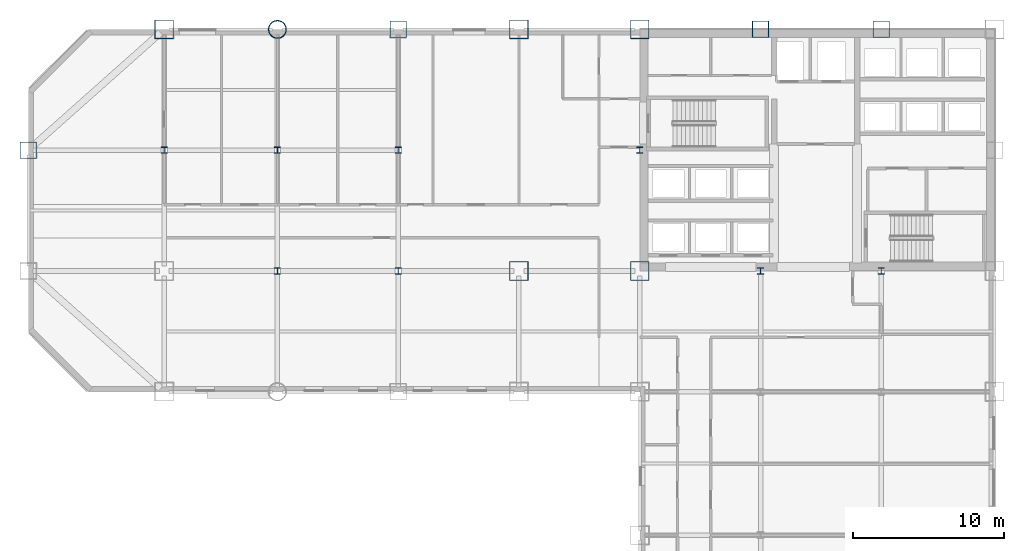
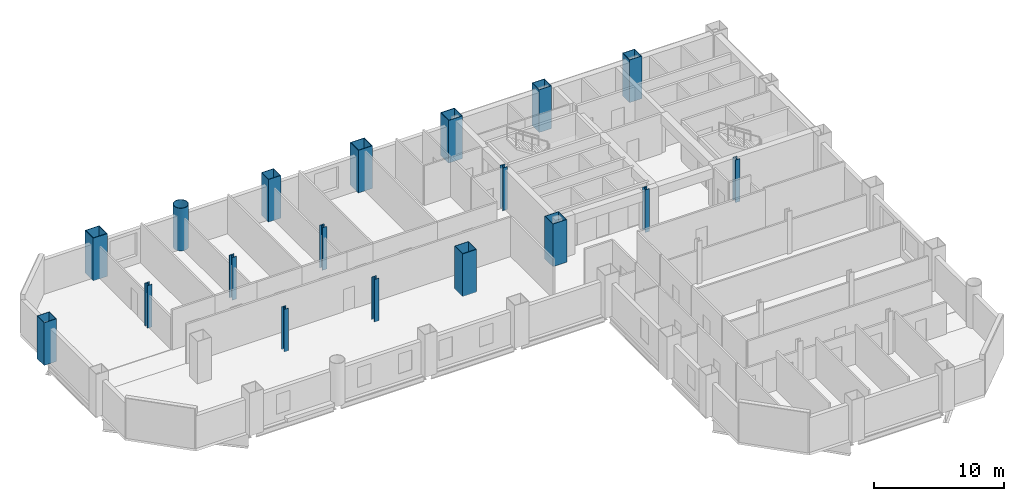
# One storey, part 2 of 9: 18 columns.
"""IFC4 building model written with IfcOpenShell, lengths in metres."""

from ifc_helpers import new_model, si_unit, direction, frame, origin, origin_2d, place, context, subcontext, project, spatial, hollow_rectangle, hollow_circle, i_section, extrude, material, material_profile, profile_set, type_object, element, save


model = new_model("IFC4")

# Units and contexts
model_context = context("Model", 3, precision=1e-05, world=origin(), true_north=direction((0.0, 1.0)))
body_context = subcontext(model_context, "Body", "Model", "MODEL_VIEW")
ifc_project = project(units=[si_unit("LENGTHUNIT", "METRE"), si_unit("AREAUNIT", "SQUARE_METRE"), si_unit("VOLUMEUNIT", "CUBIC_METRE"), si_unit("PLANEANGLEUNIT", "RADIAN"), si_unit("MASSUNIT", "GRAM", prefix="KILO")], contexts=[model_context])

# Site, building, storey
site_placement = place(None, origin())
site = spatial("IfcSite", under=ifc_project, at=site_placement, CompositionType="ELEMENT")
building_placement = place(site_placement, origin())
building = spatial("IfcBuilding", under=site, at=building_placement, Name="Qianrong Seaharbour Tower", CompositionType="ELEMENT")
storey_placement = place(building_placement, frame((0.0, 0.0, 36.199951171875)))
storey = spatial("IfcBuildingStorey", under=building, at=storey_placement, Name="L08", CompositionType="ELEMENT", Elevation=36.199951171875)

# Columns
ifc_material = material(Name="Structural steel SN490B", Category="steel")
ifc_material_profile_1 = material_profile(ifc_material, hollow_rectangle(XDim=1.25, YDim=1.25, WallThickness=0.044921875, at=origin_2d()), Name="BOX1250x1250x45")
ifc_profile_set_1 = profile_set([ifc_material_profile_1], Name="Structural steel SN490B")
column_type_1 = type_object("IfcColumnType", Name="COL-CFT-1250", PredefinedType="COLUMN", material=ifc_profile_set_1)
for number, where, z_axis, x_axis, name in (
    (1, (9.0, 52.0, 0.0), (0.0, 0.0, 1.0), (1.0, 0.0, 0.0), "L08 Column MC-2 at G2/GH"),
    (2, (32.5, 36.0, 0.0), (0.0, 0.0, 1.0), (1.0, 0.0, 0.0), "L08 Column MC-2 at G5/GF"),
    (3, (32.5, 52.0, 0.0), (0.0, 0.0, 1.0), (1.0, 0.0, 0.0), "L08 Column MC-2 at G5/GH"),
    (4, (40.5, 36.0, 0.0), (0.0, 0.0, 1.0), (1.0, 0.0, 0.0), "L08 Column MC-2 at G6/GF"),
    (5, (40.5, 52.0, 0.0), (0.0, 0.0, 1.0), (1.0, 0.0, 0.0), "L08 Column MC-2 at G6/GH"),
):
    element("IfcColumn", number, at=place(storey_placement, frame(where, z_axis=z_axis, x_axis=x_axis)), inside=storey, type_object=column_type_1, Name=name, PredefinedType="COLUMN", context=body_context, shape_type="SweptSolid", body=[
        extrude(hollow_rectangle(XDim=1.25, YDim=1.25, WallThickness=0.044921875, at=origin_2d()), origin(), (0.0, 0.0, 1.0), 4.0),
    ])
ifc_material_profile_2 = material_profile(ifc_material, hollow_circle(Radius=0.60009765625, WallThickness=0.0400390625, at=origin_2d()), Name="CHS1200x40")
ifc_profile_set_2 = profile_set([ifc_material_profile_2], Name="Structural steel SN490B")
column_type_2 = type_object("IfcColumnType", Name="COL-CHS-1200", PredefinedType="COLUMN", material=ifc_profile_set_2)
column_placement = place(storey_placement, frame((16.5, 52.0, 0.0), z_axis=(0.0, 0.0, 1.0), x_axis=(1.0, 0.0, 0.0)))
element("IfcColumn", 6, at=column_placement, inside=storey, type_object=column_type_2, Name="L08 Column CC-1 at G3/GH", PredefinedType="COLUMN", context=body_context, shape_type="SweptSolid", body=[
    extrude(hollow_circle(Radius=0.60009765625, WallThickness=0.0400390625, at=origin_2d()), origin(), (0.0, 0.0, 1.0), 4.0),
])
ifc_material_profile_3 = material_profile(ifc_material, i_section(OverallWidth=0.406982421875, OverallDepth=0.427978515625, WebThickness=0.02001953125, FlangeThickness=0.034912109375, FilletRadius=0.02197265625, at=origin_2d()), Name="H428x407x20x35")
ifc_profile_set_3 = profile_set([ifc_material_profile_3], Name="Structural steel SN490B")
column_type_3 = type_object("IfcColumnType", Name="COL-INT-H428", PredefinedType="COLUMN", material=ifc_profile_set_3)
for number, where, z_axis, x_axis, name in (
    (7, (9.0, 44.0, 0.0), (0.0, 0.0, 1.0), (1.0, 0.0, 0.0), "L08 Column IC-2 at G2/GG"),
    (8, (16.5, 36.0, 0.0), (0.0, 0.0, 1.0), (1.0, 0.0, 0.0), "L08 Column IC-2 at G3/GF"),
    (9, (16.5, 44.0, 0.0), (0.0, 0.0, 1.0), (1.0, 0.0, 0.0), "L08 Column IC-2 at G3/GG"),
    (10, (24.5, 36.0, 0.0), (0.0, 0.0, 1.0), (1.0, 0.0, 0.0), "L08 Column IC-2 at G4/GF"),
    (11, (24.5, 44.0, 0.0), (0.0, 0.0, 1.0), (1.0, 0.0, 0.0), "L08 Column IC-2 at G4/GG"),
    (12, (40.5, 44.0, 0.0), (0.0, 0.0, 1.0), (1.0, 0.0, 0.0), "L08 Column IC-2 at G6/GG"),
    (13, (48.5, 36.0, 0.0), (0.0, 0.0, 1.0), (1.0, 0.0, 0.0), "L08 Column IC-2 at G7/GF"),
    (14, (56.5, 36.0, 0.0), (0.0, 0.0, 1.0), (1.0, 0.0, 0.0), "L08 Column IC-2 at G8/GF"),
):
    element("IfcColumn", number, at=place(storey_placement, frame(where, z_axis=z_axis, x_axis=x_axis)), inside=storey, type_object=column_type_3, Name=name, PredefinedType="COLUMN", context=body_context, shape_type="SweptSolid", body=[
        extrude(i_section(OverallWidth=0.406982421875, OverallDepth=0.427978515625, WebThickness=0.02001953125, FlangeThickness=0.034912109375, FilletRadius=0.02197265625, at=origin_2d()), origin(), (0.0, 0.0, 1.0), 4.0),
    ])
ifc_material_profile_4 = material_profile(ifc_material, hollow_rectangle(XDim=1.10009765625, YDim=1.10009765625, WallThickness=0.0400390625, at=origin_2d()), Name="BOX1100x1100x40")
ifc_profile_set_4 = profile_set([ifc_material_profile_4], Name="Structural steel SN490B")
column_type_4 = type_object("IfcColumnType", Name="COL-PER-1100", PredefinedType="COLUMN", material=ifc_profile_set_4)
for number, where, z_axis, x_axis, name in (
    (15, (0.0, 44.0, 0.0), (0.0, 0.0, 1.0), (1.0, 0.0, 0.0), "L08 Column PC-1 at G1/GG"),
    (16, (24.5, 52.0, 0.0), (0.0, 0.0, 1.0), (1.0, 0.0, 0.0), "L08 Column PC-1 at G4/GH"),
    (17, (48.5, 52.0, 0.0), (0.0, 0.0, 1.0), (1.0, 0.0, 0.0), "L08 Column PC-1 at G7/GH"),
    (18, (56.5, 52.0, 0.0), (0.0, 0.0, 1.0), (1.0, 0.0, 0.0), "L08 Column PC-1 at G8/GH"),
):
    element("IfcColumn", number, at=place(storey_placement, frame(where, z_axis=z_axis, x_axis=x_axis)), inside=storey, type_object=column_type_4, Name=name, PredefinedType="COLUMN", context=body_context, shape_type="SweptSolid", body=[
        extrude(hollow_rectangle(XDim=1.10009765625, YDim=1.10009765625, WallThickness=0.0400390625, at=origin_2d()), origin(), (0.0, 0.0, 1.0), 4.0),
    ])

save(model, "model.ifc")
